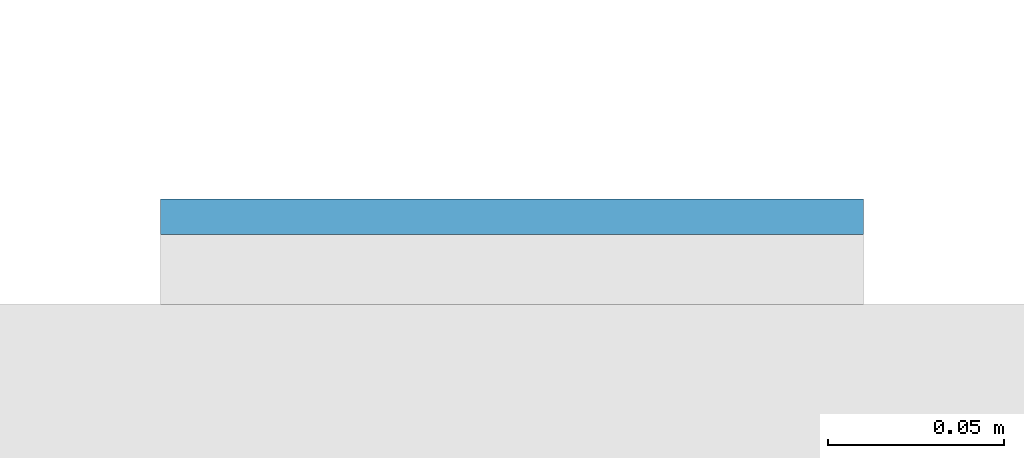
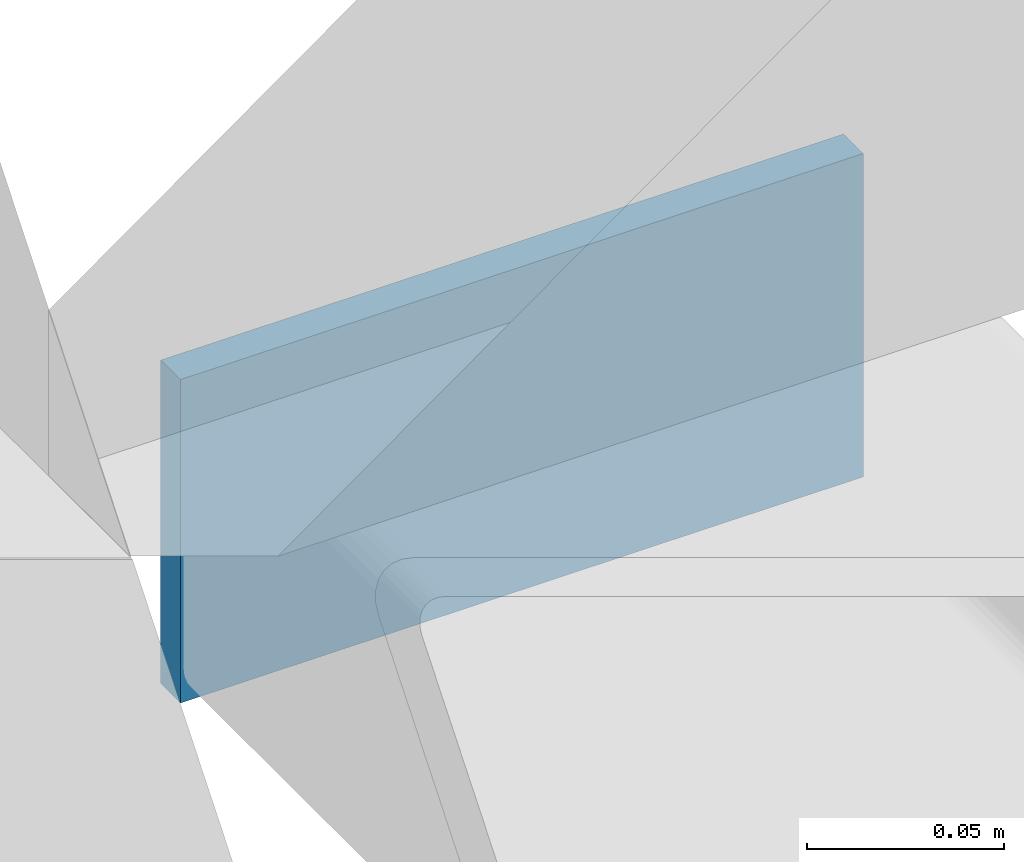
# One storey, part 11 of 20: 1 plate.
"""IFC4 building model written with IfcOpenShell, lengths in metres."""

from ifc_helpers import new_model, si_unit, direction, frame, origin, origin_2d, place, context, subcontext, project, spatial, rectangle, extrude, material, layer, layer_set, type_object, element, save


model = new_model("IFC4")

# Units and contexts
model_context = context("Model", 3, precision=1e-05, world=origin(), true_north=direction((0.0, 1.0)))
body_context = subcontext(model_context, "Body", "Model", "MODEL_VIEW")
ifc_project = project(units=[si_unit("LENGTHUNIT", "METRE"), si_unit("AREAUNIT", "SQUARE_METRE"), si_unit("VOLUMEUNIT", "CUBIC_METRE"), si_unit("PLANEANGLEUNIT", "RADIAN"), si_unit("MASSUNIT", "GRAM", prefix="KILO")], contexts=[model_context])

# Site, building, storey
site_placement = place(None, origin())
site = spatial("IfcSite", under=ifc_project, at=site_placement, CompositionType="ELEMENT")
building_placement = place(site_placement, origin())
building = spatial("IfcBuilding", under=site, at=building_placement, Name="Cleftline Residences", CompositionType="ELEMENT")
storey_placement = place(building_placement, frame((0.0, 0.0, 36.800048828125)))
storey = spatial("IfcBuildingStorey", under=building, at=storey_placement, Name="L08", CompositionType="ELEMENT", Elevation=36.800048828125)

# Plate
ifc_material = material(Name="Steel S355, hot-dip galvanised", Category="steel")
ifc_layer = layer(ifc_material, 0.010009765625)
ifc_layer_set = layer_set([ifc_layer], Name="BAGUETTE CARRIER END PLATE 200X100X10")
plate_type = type_object("IfcPlateType", Name="BAGUETTE CARRIER END PLATE 200X100X10", PredefinedType="USERDEFINED", material=ifc_layer_set)
plate_placement = place(storey_placement, frame((66.85009765625, 44.304931640625, -0.10009765625), z_axis=(0.0, 0.0, 1.0), x_axis=(1.0, 0.0, 0.0)))
element("IfcPlate", 1, at=plate_placement, inside=storey, type_object=plate_type, Name="Baguette carrier end plate", ObjectType="BAGUETTE CARRIER END PLATE", PredefinedType="USERDEFINED", context=body_context, shape_type="SweptSolid", body=[
    extrude(rectangle(XDim=0.199951171875, YDim=0.010009765625, at=origin_2d()), origin(), (0.0, 0.0, 1.0), 0.10009765625),
])

save(model, "model.ifc")
